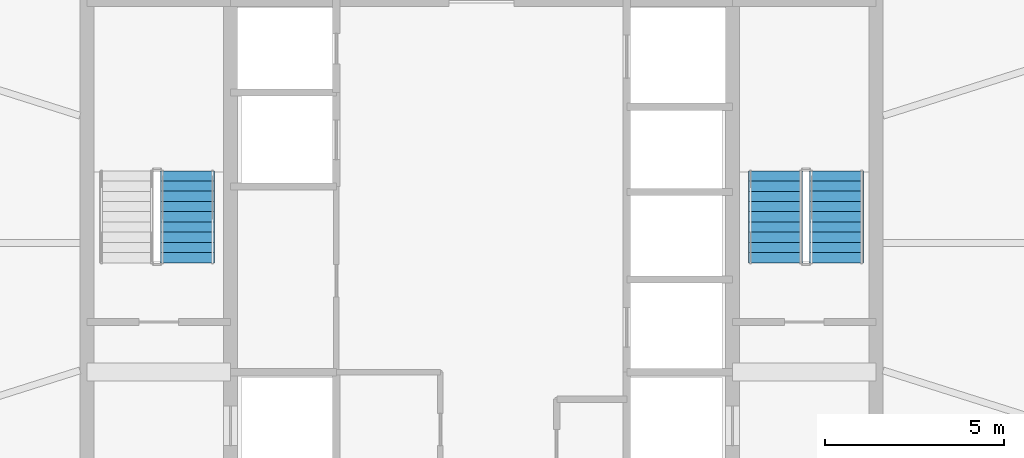
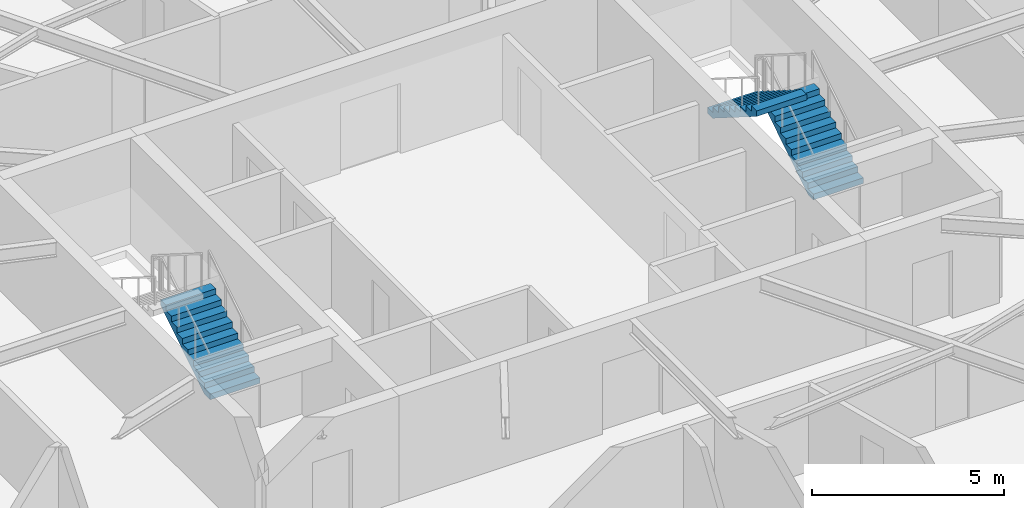
# One storey, part 19 of 22: 3 stair flights, 2 elements without a shape of their own.
"""IFC4 building model written with IfcOpenShell, lengths in metres."""

from ifc_helpers import new_model, si_unit, direction, frame, origin, place, context, subcontext, project, spatial, polyline, outline, extrude, material, type_object, element, aggregate, save


model = new_model("IFC4")

# Units and contexts
model_context = context("Model", 3, precision=1e-05, world=origin(), true_north=direction((0.0, 1.0)))
body_context = subcontext(model_context, "Body", "Model", "MODEL_VIEW")
ifc_project = project(units=[si_unit("LENGTHUNIT", "METRE"), si_unit("AREAUNIT", "SQUARE_METRE"), si_unit("VOLUMEUNIT", "CUBIC_METRE"), si_unit("PLANEANGLEUNIT", "RADIAN"), si_unit("MASSUNIT", "GRAM", prefix="KILO")], contexts=[model_context])

# Site, building, storey
site_placement = place(None, origin())
site = spatial("IfcSite", under=ifc_project, at=site_placement, CompositionType="ELEMENT")
building_placement = place(site_placement, origin())
building = spatial("IfcBuilding", under=site, at=building_placement, Name="Sarneth Arch Tower", CompositionType="ELEMENT")
storey_placement = place(building_placement, frame((0.0, 0.0, 210.0)))
storey = spatial("IfcBuildingStorey", under=building, at=storey_placement, Name="L53", CompositionType="ELEMENT", Elevation=210.0)

# Stair, stair flight
ifc_material_1 = material(Name="Concrete C50/60", Category="concrete")
stair_type = type_object("IfcStairType", Name="STAIR-CORE-RC", PredefinedType="HALF_TURN_STAIR", material=ifc_material_1)
stair_1_placement = place(storey_placement, origin())
stair_1 = element("IfcStair", 1, at=stair_1_placement, inside=storey, type_object=stair_type, Name="L53 Core Exit Stair 1", PredefinedType="HALF_TURN_STAIR")
ifc_material_2 = material(Name="Concrete C50/60", Category="concrete")
stair_flight_type = type_object("IfcStairFlightType", Name="FLIGHT-RC-1500", PredefinedType="STRAIGHT", material=ifc_material_2)
stair_flight_1_placement = place(storey_placement, frame((39.800048828125, 41.449951171875, 0.0), z_axis=(0.0, 0.0, 1.0), x_axis=(0.0, 1.0, 0.0)))
stair_flight_1 = element("IfcStairFlight", 2, at=stair_flight_1_placement, type_object=stair_flight_type, Name="ST-1 flight 1", NumberOfRisers=10, NumberOfTreads=9, PredefinedType="STRAIGHT", RiserHeight=0.18, TreadLength=0.285, context=body_context, shape_type="SweptSolid", body=[
    extrude(outline(polyline([(0.0, 0.0), (0.0, 0.179931640625), (0.284912109375, 0.179931640625), (0.284912109375, 0.360107421875), (0.570068359375, 0.360107421875), (0.570068359375, 0.5400390625), (0.85498046875, 0.5400390625), (0.85498046875, 0.719970703125), (1.139892578125, 0.719970703125), (1.139892578125, 0.89990234375), (1.425048828125, 0.89990234375), (1.425048828125, 1.080078125), (1.7099609375, 1.080078125), (1.7099609375, 1.260009765625), (1.9951171875, 1.260009765625), (1.9951171875, 1.43994140625), (2.280029296875, 1.43994140625), (2.280029296875, 1.6201171875), (2.56494140625, 1.6201171875), (2.56494140625, 1.800048828125), (2.56494140625, 1.442626953125), (0.28076171875, 0.0), (0.0, 0.0)])), frame((0.0, 0.75, 0.0), z_axis=(0.0, -1.0, 0.0), x_axis=(1.0, 0.0, 0.0)), (0.0, 0.0, 1.0), 1.5),
])
aggregate(stair_1, [stair_flight_1])

# Stair, stair flights
stair_2_placement = place(storey_placement, origin())
stair_2 = element("IfcStair", 3, at=stair_2_placement, inside=storey, type_object=stair_type, Name="L53 Core Exit Stair 2", PredefinedType="HALF_TURN_STAIR")
stair_flight_2_placement = place(storey_placement, frame((57.89990234375, 41.449951171875, 0.0), z_axis=(0.0, 0.0, 1.0), x_axis=(0.0, 1.0, 0.0)))
stair_flight_2 = element("IfcStairFlight", 4, at=stair_flight_2_placement, type_object=stair_flight_type, Name="ST-2 flight 1", NumberOfRisers=10, NumberOfTreads=9, PredefinedType="STRAIGHT", RiserHeight=0.18, TreadLength=0.285, context=body_context, shape_type="SweptSolid", body=[
    extrude(outline(polyline([(0.0, 0.0), (0.0, 0.179931640625), (0.284912109375, 0.179931640625), (0.284912109375, 0.360107421875), (0.570068359375, 0.360107421875), (0.570068359375, 0.5400390625), (0.85498046875, 0.5400390625), (0.85498046875, 0.719970703125), (1.139892578125, 0.719970703125), (1.139892578125, 0.89990234375), (1.425048828125, 0.89990234375), (1.425048828125, 1.080078125), (1.7099609375, 1.080078125), (1.7099609375, 1.260009765625), (1.9951171875, 1.260009765625), (1.9951171875, 1.43994140625), (2.280029296875, 1.43994140625), (2.280029296875, 1.6201171875), (2.56494140625, 1.6201171875), (2.56494140625, 1.800048828125), (2.56494140625, 1.442626953125), (0.28076171875, 0.0), (0.0, 0.0)])), frame((0.0, 0.75, 0.0), z_axis=(0.0, -1.0, 0.0), x_axis=(1.0, 0.0, 0.0)), (0.0, 0.0, 1.0), 1.5),
])
stair_flight_3_placement = place(storey_placement, frame((56.199951171875, 44.014892578125, 1.800048828125), z_axis=(0.0, 0.0, 1.0), x_axis=(0.0, -1.0, 0.0)))
stair_flight_3 = element("IfcStairFlight", 5, at=stair_flight_3_placement, type_object=stair_flight_type, Name="ST-2 flight 2", NumberOfRisers=10, NumberOfTreads=9, PredefinedType="STRAIGHT", RiserHeight=0.18, TreadLength=0.285, context=body_context, shape_type="SweptSolid", body=[
    extrude(outline(polyline([(0.0, 0.0), (0.0, 0.179931640625), (0.284912109375, 0.179931640625), (0.284912109375, 0.360107421875), (0.570068359375, 0.360107421875), (0.570068359375, 0.5400390625), (0.85498046875, 0.5400390625), (0.85498046875, 0.719970703125), (1.139892578125, 0.719970703125), (1.139892578125, 0.89990234375), (1.425048828125, 0.89990234375), (1.425048828125, 1.080078125), (1.7099609375, 1.080078125), (1.7099609375, 1.260009765625), (1.9951171875, 1.260009765625), (1.9951171875, 1.43994140625), (2.280029296875, 1.43994140625), (2.280029296875, 1.6201171875), (2.56494140625, 1.6201171875), (2.56494140625, 1.800048828125), (2.56494140625, 1.442626953125), (0.28076171875, 0.0), (0.0, 0.0)])), frame((0.0, 0.75, 0.0), z_axis=(0.0, -1.0, 0.0), x_axis=(1.0, 0.0, 0.0)), (0.0, 0.0, 1.0), 1.5),
])
aggregate(stair_2, [stair_flight_2, stair_flight_3])

save(model, "model.ifc")
